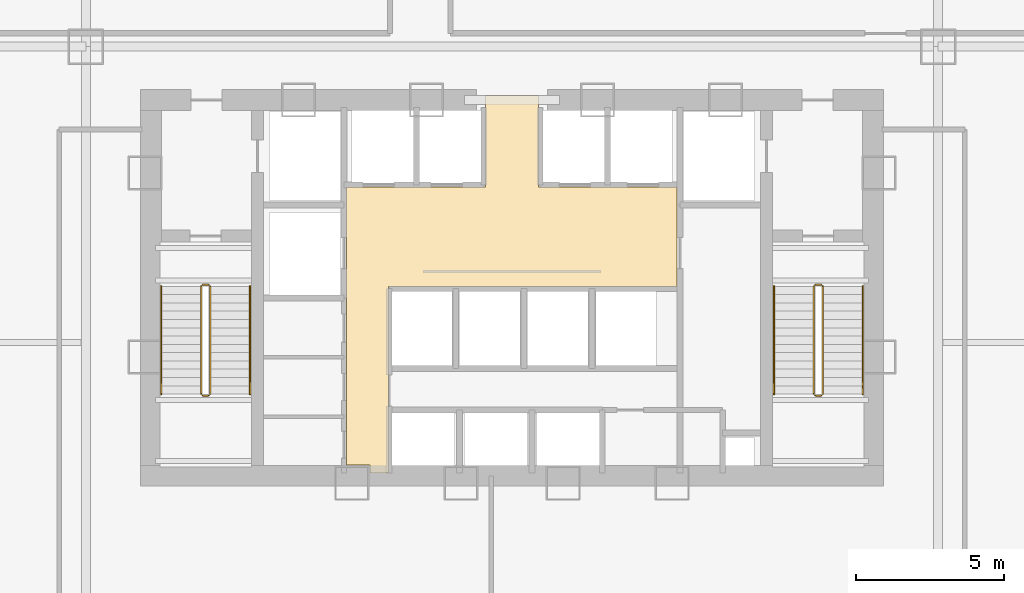
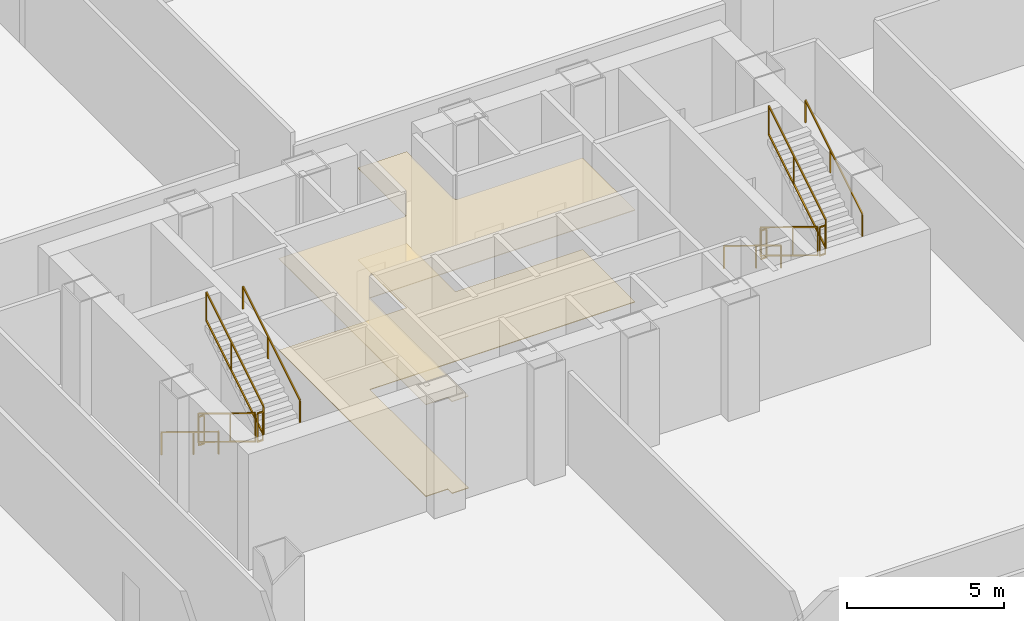
# One storey, part 38 of 40: 12 railings, 2 coverings.
"""IFC4 building model written with IfcOpenShell, lengths in metres."""

from ifc_helpers import new_model, si_unit, direction, frame, origin, origin_2d, place, context, subcontext, project, spatial, polyline, rectangle, outline, extrude, material, layer, layer_set, type_object, element, save


model = new_model("IFC4")

# Units and contexts
model_context = context("Model", 3, precision=1e-05, world=origin(), true_north=direction((0.0, 1.0)))
body_context = subcontext(model_context, "Body", "Model", "MODEL_VIEW")
ifc_project = project(units=[si_unit("LENGTHUNIT", "METRE"), si_unit("AREAUNIT", "SQUARE_METRE"), si_unit("VOLUMEUNIT", "CUBIC_METRE"), si_unit("PLANEANGLEUNIT", "RADIAN"), si_unit("MASSUNIT", "GRAM", prefix="KILO"), si_unit("THERMODYNAMICTEMPERATUREUNIT", "KELVIN"), si_unit("POWERUNIT", "WATT")], contexts=[model_context])

# Site, building, storey
site_placement = place(None, origin())
site = spatial("IfcSite", under=ifc_project, at=site_placement, CompositionType="ELEMENT")
building_placement = place(site_placement, origin())
building = spatial("IfcBuilding", under=site, at=building_placement, Name="Yunzhuo Pagoda Commons", CompositionType="ELEMENT")
storey_placement = place(building_placement, frame((0.0, 0.0, 14.39990234375)))
storey = spatial("IfcBuildingStorey", under=building, at=storey_placement, Name="L04", CompositionType="ELEMENT", Elevation=14.39990234375)

# Coverings
ifc_material_1 = material(Name="Mineral fibre acoustic ceiling board")
ifc_layer_1 = layer(ifc_material_1, 0.02490234375)
ifc_layer_set_1 = layer_set([ifc_layer_1], Name="Mineral fibre acoustic ceiling board")
covering_type_1 = type_object("IfcCoveringType", Name="COV-CL1 Ceiling 25", PredefinedType="CEILING", material=ifc_layer_set_1)
covering_1_placement = place(storey_placement, frame((0.0, 0.0, 3.570068359375)))
element("IfcCovering", 1, at=covering_1_placement, inside=storey, type_object=covering_type_1, Name="L04 lift lobby acoustic ceiling", PredefinedType="CEILING", context=body_context, shape_type="SweptSolid", body=[
    extrude(outline(polyline([(43.207763671875, 27.85009765625), (43.201904296875, 27.864013671875), (43.187744140625, 27.8701171875), (42.39990234375, 27.8701171875), (42.39990234375, 33.89990234375), (42.39990234375, 37.25), (47.10009765625, 37.25), (47.10009765625, 40.35009765625), (48.89990234375, 40.35009765625), (48.89990234375, 37.25), (53.580078125, 37.25), (53.580078125, 33.89990234375), (43.820068359375, 33.89990234375), (43.820068359375, 27.60009765625), (43.207763671875, 27.60009765625), (43.207763671875, 27.85009765625)])), origin(), (0.0, 0.0, 1.0), 0.025146484375),
])
ifc_material_2 = material(Name="Terrazzo stone lobby flooring", Category="masonry")
ifc_layer_2 = layer(ifc_material_2, 0.02392578125)
ifc_layer_set_2 = layer_set([ifc_layer_2], Name="Terrazzo stone lobby flooring")
covering_type_2 = type_object("IfcCoveringType", Name="COV-FL2 Flooring 24", PredefinedType="FLOORING", material=ifc_layer_set_2)
covering_2_placement = place(storey_placement, origin())
element("IfcCovering", 2, at=covering_2_placement, inside=storey, type_object=covering_type_2, Name="L04 lift lobby flooring", PredefinedType="FLOORING", context=body_context, shape_type="SweptSolid", body=[
    extrude(outline(polyline([(43.207763671875, 27.85009765625), (43.201904296875, 27.864013671875), (43.187744140625, 27.8701171875), (42.39990234375, 27.8701171875), (42.39990234375, 33.89990234375), (42.39990234375, 37.25), (47.10009765625, 37.25), (47.10009765625, 40.35009765625), (48.89990234375, 40.35009765625), (48.89990234375, 37.25), (53.580078125, 37.25), (53.580078125, 33.89990234375), (43.820068359375, 33.89990234375), (43.820068359375, 27.60009765625), (43.207763671875, 27.60009765625), (43.207763671875, 27.85009765625)])), origin(), (0.0, 0.0, 1.0), 0.024169921875),
])

# Railings
ifc_material_3 = material(Name="Anodized aluminium 6063-T6", Category="aluminium")
railing_type_1 = type_object("IfcRailingType", Name="GR-ST1 Stair Well Guardrail 1150", PredefinedType="GUARDRAIL", material=ifc_material_3)
railing_1_placement = place(storey_placement, frame((37.5, 33.89990234375, 0.171630859375)))
element("IfcRailing", 3, at=railing_1_placement, inside=storey, type_object=railing_type_1, Name="L04 ST1 stair guard 1", PredefinedType="GUARDRAIL", context=body_context, shape_type="SweptSolid", body=[
    extrude(rectangle(XDim=0.048095703125, YDim=0.048095703125, at=origin_2d()), frame((0.0, 0.0, 1.1259765625), z_axis=(0.0, -0.852850264322, 0.5221555579), x_axis=(1.0, 0.0, 0.0)), (0.0, 0.0, 1.0), 4.267822265625),
    extrude(rectangle(XDim=0.048095703125, YDim=0.048095703125, at=origin_2d()), frame((0.0, 0.0, 0.02392578125), z_axis=(0.0, -0.852850264322, 0.5221555579), x_axis=(1.0, 0.0, 0.0)), (0.0, 0.0, 1.0), 4.267822265625),
    extrude(rectangle(XDim=0.0419921875, YDim=0.0419921875, at=origin_2d()), origin(), (0.0, 0.0, 1.0), 1.101806640625),
    extrude(rectangle(XDim=0.0419921875, YDim=0.0419921875, at=origin_2d()), frame((0.0, -2.046875, 1.253173828125)), (0.0, 0.0, 1.0), 1.101806640625),
    extrude(rectangle(XDim=0.0419921875, YDim=0.0419921875, at=origin_2d()), frame((0.0, -3.639892578125, 2.228515625)), (0.0, 0.0, 1.0), 1.101806640625),
])
railing_2_placement = place(storey_placement, frame((37.550048828125, 30.2099609375, 2.400146484375)))
element("IfcRailing", 4, at=railing_2_placement, inside=storey, type_object=railing_type_1, Name="L04 ST1 stair guard 2", PredefinedType="GUARDRAIL", context=body_context, shape_type="SweptSolid", body=[
    extrude(rectangle(XDim=0.048095703125, YDim=0.048095703125, at=origin_2d()), frame((0.0, 0.0, 1.1259765625), z_axis=(1.0, 0.0, 0.0), x_axis=(0.0, 1.0, 0.0)), (0.0, 0.0, 1.0), 0.199951171875),
    extrude(rectangle(XDim=0.048095703125, YDim=0.048095703125, at=origin_2d()), frame((0.0, 0.0, 0.02392578125), z_axis=(1.0, 0.0, 0.0), x_axis=(0.0, 1.0, 0.0)), (0.0, 0.0, 1.0), 0.199951171875),
    extrude(rectangle(XDim=0.0419921875, YDim=0.0419921875, at=origin_2d()), origin(), (0.0, 0.0, 1.0), 1.101806640625),
    extrude(rectangle(XDim=0.0419921875, YDim=0.0419921875, at=origin_2d()), frame((0.199951171875, 0.0, 0.0)), (0.0, 0.0, 1.0), 1.101806640625),
])
railing_3_placement = place(storey_placement, frame((37.800048828125, 30.260009765625, 2.571533203125)))
element("IfcRailing", 5, at=railing_3_placement, inside=storey, type_object=railing_type_1, Name="L04 ST1 stair guard 3", PredefinedType="GUARDRAIL", context=body_context, shape_type="SweptSolid", body=[
    extrude(rectangle(XDim=0.048095703125, YDim=0.048095703125, at=origin_2d()), frame((0.0, 0.0, 1.1259765625), z_axis=(0.0, 0.852850264322, 0.5221555579), x_axis=(-1.0, 0.0, 0.0)), (0.0, 0.0, 1.0), 4.267822265625),
    extrude(rectangle(XDim=0.048095703125, YDim=0.048095703125, at=origin_2d()), frame((0.0, 0.0, 0.02392578125), z_axis=(0.0, 0.852850264322, 0.5221555579), x_axis=(-1.0, 0.0, 0.0)), (0.0, 0.0, 1.0), 4.267822265625),
    extrude(rectangle(XDim=0.0419921875, YDim=0.0419921875, at=origin_2d()), origin(), (0.0, 0.0, 1.0), 1.101806640625),
    extrude(rectangle(XDim=0.0419921875, YDim=0.0419921875, at=origin_2d()), frame((0.0, 2.046875, 1.253173828125)), (0.0, 0.0, 1.0), 1.101806640625),
    extrude(rectangle(XDim=0.0419921875, YDim=0.0419921875, at=origin_2d()), frame((0.0, 3.639892578125, 2.228515625)), (0.0, 0.0, 1.0), 1.101806640625),
])
railing_4_placement = place(storey_placement, frame((37.550048828125, 33.949951171875, 0.0)))
element("IfcRailing", 6, at=railing_4_placement, inside=storey, type_object=railing_type_1, Name="L04 ST1 stair guard 4", PredefinedType="GUARDRAIL", context=body_context, shape_type="SweptSolid", body=[
    extrude(rectangle(XDim=0.048095703125, YDim=0.048095703125, at=origin_2d()), frame((0.0, 0.0, 1.1259765625), z_axis=(1.0, 0.0, 0.0), x_axis=(0.0, 1.0, 0.0)), (0.0, 0.0, 1.0), 0.199951171875),
    extrude(rectangle(XDim=0.048095703125, YDim=0.048095703125, at=origin_2d()), frame((0.0, 0.0, 0.02392578125), z_axis=(1.0, 0.0, 0.0), x_axis=(0.0, 1.0, 0.0)), (0.0, 0.0, 1.0), 0.199951171875),
    extrude(rectangle(XDim=0.0419921875, YDim=0.0419921875, at=origin_2d()), origin(), (0.0, 0.0, 1.0), 1.101806640625),
    extrude(rectangle(XDim=0.0419921875, YDim=0.0419921875, at=origin_2d()), frame((0.199951171875, 0.0, 0.0)), (0.0, 0.0, 1.0), 1.101806640625),
])
railing_type_2 = type_object("IfcRailingType", Name="GR-ST2 Stair Well Guardrail 1160", PredefinedType="GUARDRAIL", material=ifc_material_3)
railing_5_placement = place(storey_placement, frame((58.199951171875, 33.89990234375, 0.171630859375)))
element("IfcRailing", 7, at=railing_5_placement, inside=storey, type_object=railing_type_2, Name="L04 ST2 stair guard 1", PredefinedType="GUARDRAIL", context=body_context, shape_type="SweptSolid", body=[
    extrude(rectangle(XDim=0.048095703125, YDim=0.048095703125, at=origin_2d()), frame((0.0, 0.0, 1.1259765625), z_axis=(0.0, -0.852850264322, 0.5221555579), x_axis=(1.0, 0.0, 0.0)), (0.0, 0.0, 1.0), 4.267822265625),
    extrude(rectangle(XDim=0.048095703125, YDim=0.048095703125, at=origin_2d()), frame((0.0, 0.0, 0.02392578125), z_axis=(0.0, -0.852850264322, 0.5221555579), x_axis=(1.0, 0.0, 0.0)), (0.0, 0.0, 1.0), 4.267822265625),
    extrude(rectangle(XDim=0.0419921875, YDim=0.0419921875, at=origin_2d()), origin(), (0.0, 0.0, 1.0), 1.101806640625),
    extrude(rectangle(XDim=0.0419921875, YDim=0.0419921875, at=origin_2d()), frame((0.0, -2.046875, 1.253173828125)), (0.0, 0.0, 1.0), 1.101806640625),
    extrude(rectangle(XDim=0.0419921875, YDim=0.0419921875, at=origin_2d()), frame((0.0, -3.639892578125, 2.228515625)), (0.0, 0.0, 1.0), 1.101806640625),
])
railing_6_placement = place(storey_placement, frame((58.25, 30.2099609375, 2.400146484375)))
element("IfcRailing", 8, at=railing_6_placement, inside=storey, type_object=railing_type_2, Name="L04 ST2 stair guard 2", PredefinedType="GUARDRAIL", context=body_context, shape_type="SweptSolid", body=[
    extrude(rectangle(XDim=0.048095703125, YDim=0.048095703125, at=origin_2d()), frame((0.0, 0.0, 1.1259765625), z_axis=(1.0, 0.0, 0.0), x_axis=(0.0, 1.0, 0.0)), (0.0, 0.0, 1.0), 0.199951171875),
    extrude(rectangle(XDim=0.048095703125, YDim=0.048095703125, at=origin_2d()), frame((0.0, 0.0, 0.02392578125), z_axis=(1.0, 0.0, 0.0), x_axis=(0.0, 1.0, 0.0)), (0.0, 0.0, 1.0), 0.199951171875),
    extrude(rectangle(XDim=0.0419921875, YDim=0.0419921875, at=origin_2d()), origin(), (0.0, 0.0, 1.0), 1.101806640625),
    extrude(rectangle(XDim=0.0419921875, YDim=0.0419921875, at=origin_2d()), frame((0.199951171875, 0.0, 0.0)), (0.0, 0.0, 1.0), 1.101806640625),
])
railing_7_placement = place(storey_placement, frame((58.5, 30.260009765625, 2.571533203125)))
element("IfcRailing", 9, at=railing_7_placement, inside=storey, type_object=railing_type_2, Name="L04 ST2 stair guard 3", PredefinedType="GUARDRAIL", context=body_context, shape_type="SweptSolid", body=[
    extrude(rectangle(XDim=0.048095703125, YDim=0.048095703125, at=origin_2d()), frame((0.0, 0.0, 1.1259765625), z_axis=(0.0, 0.852850264322, 0.5221555579), x_axis=(-1.0, 0.0, 0.0)), (0.0, 0.0, 1.0), 4.267822265625),
    extrude(rectangle(XDim=0.048095703125, YDim=0.048095703125, at=origin_2d()), frame((0.0, 0.0, 0.02392578125), z_axis=(0.0, 0.852850264322, 0.5221555579), x_axis=(-1.0, 0.0, 0.0)), (0.0, 0.0, 1.0), 4.267822265625),
    extrude(rectangle(XDim=0.0419921875, YDim=0.0419921875, at=origin_2d()), origin(), (0.0, 0.0, 1.0), 1.101806640625),
    extrude(rectangle(XDim=0.0419921875, YDim=0.0419921875, at=origin_2d()), frame((0.0, 2.046875, 1.253173828125)), (0.0, 0.0, 1.0), 1.101806640625),
    extrude(rectangle(XDim=0.0419921875, YDim=0.0419921875, at=origin_2d()), frame((0.0, 3.639892578125, 2.228515625)), (0.0, 0.0, 1.0), 1.101806640625),
])
railing_8_placement = place(storey_placement, frame((58.25, 33.949951171875, 0.0)))
element("IfcRailing", 10, at=railing_8_placement, inside=storey, type_object=railing_type_2, Name="L04 ST2 stair guard 4", PredefinedType="GUARDRAIL", context=body_context, shape_type="SweptSolid", body=[
    extrude(rectangle(XDim=0.048095703125, YDim=0.048095703125, at=origin_2d()), frame((0.0, 0.0, 1.1259765625), z_axis=(1.0, 0.0, 0.0), x_axis=(0.0, 1.0, 0.0)), (0.0, 0.0, 1.0), 0.199951171875),
    extrude(rectangle(XDim=0.048095703125, YDim=0.048095703125, at=origin_2d()), frame((0.0, 0.0, 0.02392578125), z_axis=(1.0, 0.0, 0.0), x_axis=(0.0, 1.0, 0.0)), (0.0, 0.0, 1.0), 0.199951171875),
    extrude(rectangle(XDim=0.0419921875, YDim=0.0419921875, at=origin_2d()), origin(), (0.0, 0.0, 1.0), 1.101806640625),
    extrude(rectangle(XDim=0.0419921875, YDim=0.0419921875, at=origin_2d()), frame((0.199951171875, 0.0, 0.0)), (0.0, 0.0, 1.0), 1.101806640625),
])
railing_type_3 = type_object("IfcRailingType", Name="HR-ST1 Stair Handrail 900", PredefinedType="HANDRAIL", material=ifc_material_3)
railing_9_placement = place(storey_placement, frame((36.14990234375, 33.89990234375, 0.171630859375)))
element("IfcRailing", 11, at=railing_9_placement, inside=storey, type_object=railing_type_3, Name="L04 ST1 stair handrail 1", PredefinedType="HANDRAIL", context=body_context, shape_type="SweptSolid", body=[
    extrude(rectangle(XDim=0.048095703125, YDim=0.048095703125, at=origin_2d()), frame((0.0, 0.0, 0.8759765625), z_axis=(0.0, -0.852850264322, 0.5221555579), x_axis=(1.0, 0.0, 0.0)), (0.0, 0.0, 1.0), 4.267822265625),
    extrude(rectangle(XDim=0.0419921875, YDim=0.0419921875, at=origin_2d()), origin(), (0.0, 0.0, 1.0), 0.851806640625),
    extrude(rectangle(XDim=0.0419921875, YDim=0.0419921875, at=origin_2d()), frame((0.0, -2.046875, 1.253173828125)), (0.0, 0.0, 1.0), 0.851806640625),
    extrude(rectangle(XDim=0.0419921875, YDim=0.0419921875, at=origin_2d()), frame((0.0, -3.639892578125, 2.228515625)), (0.0, 0.0, 1.0), 0.851806640625),
])
railing_10_placement = place(storey_placement, frame((39.14990234375, 30.260009765625, 2.571533203125)))
element("IfcRailing", 12, at=railing_10_placement, inside=storey, type_object=railing_type_3, Name="L04 ST1 stair handrail 2", PredefinedType="HANDRAIL", context=body_context, shape_type="SweptSolid", body=[
    extrude(rectangle(XDim=0.048095703125, YDim=0.048095703125, at=origin_2d()), frame((0.0, 0.0, 0.8759765625), z_axis=(0.0, 0.852850264322, 0.5221555579), x_axis=(-1.0, 0.0, 0.0)), (0.0, 0.0, 1.0), 4.267822265625),
    extrude(rectangle(XDim=0.0419921875, YDim=0.0419921875, at=origin_2d()), origin(), (0.0, 0.0, 1.0), 0.851806640625),
    extrude(rectangle(XDim=0.0419921875, YDim=0.0419921875, at=origin_2d()), frame((0.0, 2.046875, 1.253173828125)), (0.0, 0.0, 1.0), 0.851806640625),
    extrude(rectangle(XDim=0.0419921875, YDim=0.0419921875, at=origin_2d()), frame((0.0, 3.639892578125, 2.228515625)), (0.0, 0.0, 1.0), 0.851806640625),
])
railing_type_4 = type_object("IfcRailingType", Name="HR-ST2 Stair Handrail 900", PredefinedType="HANDRAIL", material=ifc_material_3)
railing_11_placement = place(storey_placement, frame((56.85009765625, 33.89990234375, 0.171630859375)))
element("IfcRailing", 13, at=railing_11_placement, inside=storey, type_object=railing_type_4, Name="L04 ST2 stair handrail 1", PredefinedType="HANDRAIL", context=body_context, shape_type="SweptSolid", body=[
    extrude(rectangle(XDim=0.048095703125, YDim=0.048095703125, at=origin_2d()), frame((0.0, 0.0, 0.8759765625), z_axis=(0.0, -0.852850264322, 0.5221555579), x_axis=(1.0, 0.0, 0.0)), (0.0, 0.0, 1.0), 4.267822265625),
    extrude(rectangle(XDim=0.0419921875, YDim=0.0419921875, at=origin_2d()), origin(), (0.0, 0.0, 1.0), 0.851806640625),
    extrude(rectangle(XDim=0.0419921875, YDim=0.0419921875, at=origin_2d()), frame((0.0, -2.046875, 1.253173828125)), (0.0, 0.0, 1.0), 0.851806640625),
    extrude(rectangle(XDim=0.0419921875, YDim=0.0419921875, at=origin_2d()), frame((0.0, -3.639892578125, 2.228515625)), (0.0, 0.0, 1.0), 0.851806640625),
])
railing_12_placement = place(storey_placement, frame((59.85009765625, 30.260009765625, 2.571533203125)))
element("IfcRailing", 14, at=railing_12_placement, inside=storey, type_object=railing_type_4, Name="L04 ST2 stair handrail 2", PredefinedType="HANDRAIL", context=body_context, shape_type="SweptSolid", body=[
    extrude(rectangle(XDim=0.048095703125, YDim=0.048095703125, at=origin_2d()), frame((0.0, 0.0, 0.8759765625), z_axis=(0.0, 0.852850264322, 0.5221555579), x_axis=(-1.0, 0.0, 0.0)), (0.0, 0.0, 1.0), 4.267822265625),
    extrude(rectangle(XDim=0.0419921875, YDim=0.0419921875, at=origin_2d()), origin(), (0.0, 0.0, 1.0), 0.851806640625),
    extrude(rectangle(XDim=0.0419921875, YDim=0.0419921875, at=origin_2d()), frame((0.0, 2.046875, 1.253173828125)), (0.0, 0.0, 1.0), 0.851806640625),
    extrude(rectangle(XDim=0.0419921875, YDim=0.0419921875, at=origin_2d()), frame((0.0, 3.639892578125, 2.228515625)), (0.0, 0.0, 1.0), 0.851806640625),
])

save(model, "model.ifc")
